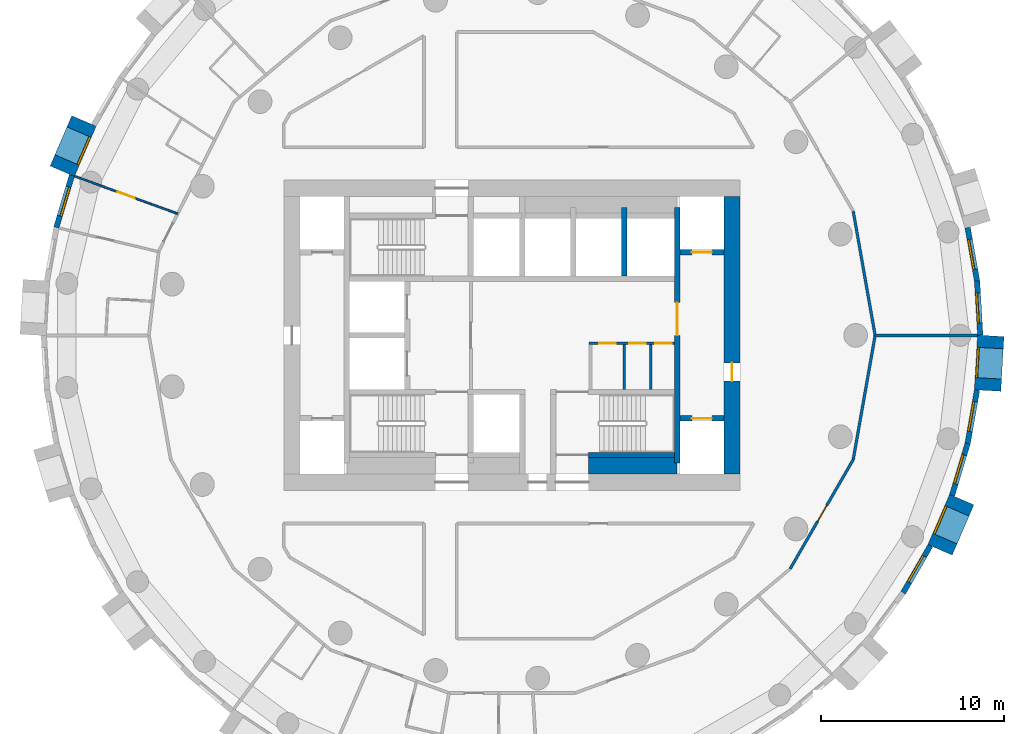
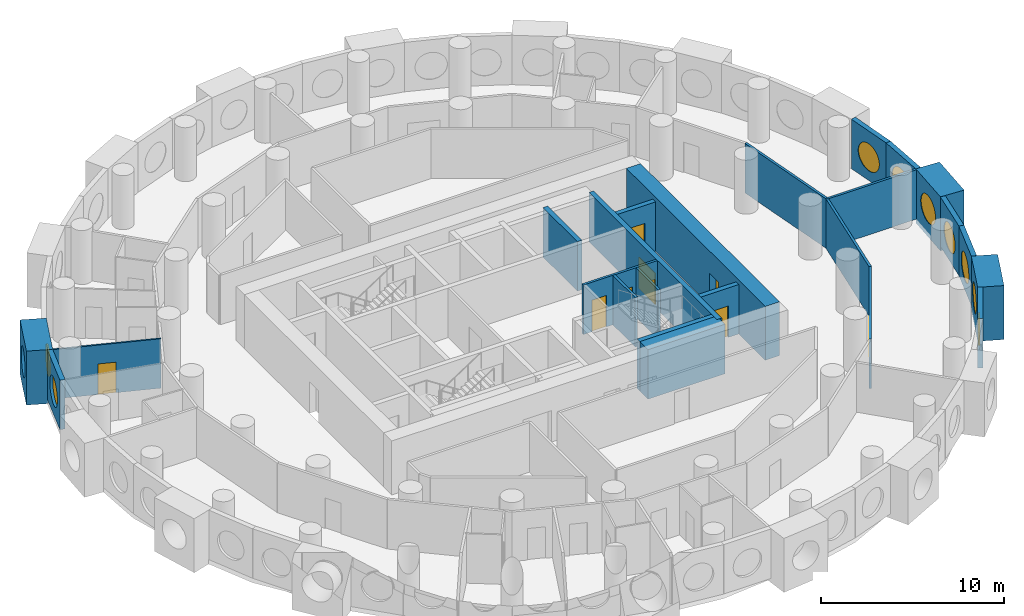
# One storey, part 5 of 9: 24 walls, 9 doors, 9 windows, 18 openings.
"""IFC4 building model written with IfcOpenShell, lengths in metres."""

import ifcopenshell
import ifcopenshell.guid

model = None  # the IFC model being written
_history = None  # IfcOwnerHistory: only IFC2X3 demands one
_inside = {}  # id of a spatial element -> (the spatial element, [elements in it])
_under = {}  # id of a project, library or spatial element -> (it, [spatial elements below it])
_declared = {}  # id of a project -> (the project, [libraries it declares])
_typed = {}  # id of a type object -> (the type object, [elements of that type])
_made_of = {}  # id of a material, layer set ... -> (it, [elements and type objects made of it])


def new_model(schema):
    """Start an empty IFC model of exactly this schema.

    Asked for "IFC4X3", IfcOpenShell would pick the latest addendum, in which some entities
    have other attributes; the version numbers below select the first issue.
    IFC2X3 requires an IfcOwnerHistory on every rooted entity: one is made here for all.
    """
    global model, _history
    if schema == "IFC4X3":
        model = ifcopenshell.file(schema_version=(4, 3, 0, 0))
    else:
        model = ifcopenshell.file(schema=schema)
    _inside.clear()
    _under.clear()
    _declared.clear()
    _typed.clear()
    _made_of.clear()
    _history = None
    if model.schema == "IFC2X3":
        org = make("IfcOrganization", Name="unknown")
        user = make(
            "IfcPersonAndOrganization",
            ThePerson=make("IfcPerson", FamilyName="unknown"),
            TheOrganization=org,
        )
        app = make(
            "IfcApplication",
            ApplicationDeveloper=org,
            Version="unknown",
            ApplicationFullName="unknown",
            ApplicationIdentifier="unknown",
        )
        _history = make(
            "IfcOwnerHistory",
            OwningUser=user,
            OwningApplication=app,
            ChangeAction="ADDED",
            CreationDate=0,
        )
    return model


def make(cls, **values):
    """One entity of the class cls with the attributes given. An attribute that is None is left unset."""
    return model.create_entity(
        cls, **{name: value for name, value in values.items() if value is not None}
    )


def rooted(cls, **values):
    """An entity with a GlobalId (a new one), such as an element, a storey or a relation."""
    return make(cls, GlobalId=ifcopenshell.guid.new(), OwnerHistory=_history, **values)


def si_unit(unit_type, name, prefix=None):
    """IfcSIUnit, for example si_unit("LENGTHUNIT", "METRE", prefix="MILLI")."""
    return make("IfcSIUnit", UnitType=unit_type, Prefix=prefix, Name=name)


def assignment(units):
    """IfcUnitAssignment: the units of a project."""
    return None if units is None else make("IfcUnitAssignment", Units=units)


def point(xyz):
    """IfcCartesianPoint."""
    return None if xyz is None else make("IfcCartesianPoint", Coordinates=xyz)


def direction(xyz):
    """IfcDirection."""
    return None if xyz is None else make("IfcDirection", DirectionRatios=xyz)


def frame(location, z_axis=None, x_axis=None):
    """IfcAxis2Placement3D, a coordinate frame: its origin and axes. An axis left out is left unset."""
    return make(
        "IfcAxis2Placement3D",
        Location=point(location),
        Axis=direction(z_axis),
        RefDirection=direction(x_axis),
    )


def frame_2d(location, x_axis=None):
    """IfcAxis2Placement2D, a coordinate frame in the plane: its origin and x axis."""
    return make(
        "IfcAxis2Placement2D", Location=point(location), RefDirection=direction(x_axis)
    )


def origin():
    """The frame at (0, 0, 0) with its axes left unset."""
    return frame((0.0, 0.0, 0.0))


def origin_2d():
    """The frame at (0, 0) in the plane with its x axis left unset."""
    return frame_2d((0.0, 0.0))


def place(relative_to, where):
    """IfcLocalPlacement: puts the frame where relative to a parent placement (None: the world)."""
    return make(
        "IfcLocalPlacement", PlacementRelTo=relative_to, RelativePlacement=where
    )


def context(
    kind, dimensions, precision=None, world=None, true_north=None, identifier=None
):
    """IfcGeometricRepresentationContext, for example the 3D "Model" context."""
    return make(
        "IfcGeometricRepresentationContext",
        ContextIdentifier=identifier,
        ContextType=kind,
        CoordinateSpaceDimension=dimensions,
        Precision=precision,
        WorldCoordinateSystem=world,
        TrueNorth=true_north,
    )


def subcontext(parent, identifier, kind, view, scale=None):
    """IfcGeometricRepresentationSubContext, for example "Body" below "Model"."""
    return make(
        "IfcGeometricRepresentationSubContext",
        ContextIdentifier=identifier,
        ContextType=kind,
        ParentContext=parent,
        TargetScale=scale,
        TargetView=view,
    )


def project(units=None, contexts=None):
    """IfcProject with its units and contexts."""
    return rooted(
        "IfcProject",
        Name="project",
        RepresentationContexts=contexts,
        UnitsInContext=assignment(units),
    )


def spatial(cls, under=None, at=None, **own):
    """A site, building, storey or space (cls), placed at a placement, below another one or the project."""
    s = rooted(cls, ObjectPlacement=at, **own)
    if under is not None:
        _under.setdefault(under.id(), (under, []))[1].append(s)
    return s


def profile(cls, at=None, kind="AREA", **sizes):
    """A parametric profile (cls). Its sizes go by their IFC names, for example OverallWidth=200.0."""
    return make(cls, ProfileType=kind, Position=at, **sizes)


def rectangle(**sizes):
    """IfcRectangleProfileDef."""
    return profile("IfcRectangleProfileDef", **sizes)


def circle(**sizes):
    """IfcCircleProfileDef."""
    return profile("IfcCircleProfileDef", **sizes)


def extrude(swept, where, along, depth):
    """IfcExtrudedAreaSolid: the profile swept, set in the frame where, extruded along a direction by depth."""
    return make(
        "IfcExtrudedAreaSolid",
        SweptArea=swept,
        Position=where,
        ExtrudedDirection=direction(along),
        Depth=depth,
    )


def shape(context_of_items, identifier, shape_type, items):
    """IfcShapeRepresentation: the items that make up one representation, for example the "Body"."""
    return make(
        "IfcShapeRepresentation",
        ContextOfItems=context_of_items,
        RepresentationIdentifier=identifier,
        RepresentationType=shape_type,
        Items=items,
    )


def material(Name=None, Category=None):
    """IfcMaterial."""
    return make("IfcMaterial", Name=Name, Category=Category)


def layer(
    of_material, thickness, ventilated=None, Name=None, Category=None, Priority=None
):
    """IfcMaterialLayer: one layer of a wall or slab, of a material (None: an air gap)."""
    return make(
        "IfcMaterialLayer",
        Material=of_material,
        LayerThickness=thickness,
        IsVentilated=ventilated,
        Name=Name,
        Category=Category,
        Priority=Priority,
    )


def layer_set(layers, Name=None):
    """IfcMaterialLayerSet."""
    return make("IfcMaterialLayerSet", MaterialLayers=layers, LayerSetName=Name)


def made_of(thing, what):
    """Note that an element or type object is made of a material, layer set ...; save() writes the relation."""
    if what is not None:
        _made_of.setdefault(what.id(), (what, []))[1].append(thing)
    return thing


def type_object(cls, material=None, **own):
    """A type object (cls), such as IfcWallType, which elements share."""
    return made_of(rooted(cls, **own), material)


def element(
    cls,
    number,
    at=None,
    inside=None,
    cuts=None,
    type_object=None,
    material=None,
    context=None,
    identifier="Body",
    shape_type=None,
    held_by="IfcProductDefinitionShape",
    body=None,
    shapes=None,
    **own,
):
    """One element of the class cls, such as IfcWall. Its Tag is "e" and its number.

    at: its placement. inside: the storey or other place that contains it. cuts: it is an
    opening in that element (IfcRelVoidsElement). A single representation is given by context,
    identifier, shape_type and body (its items); several are given by shapes. held_by: the class
    of the entity that holds the representations. save() writes the other relations.
    """
    e = rooted(cls, Tag="e%d" % number, ObjectPlacement=at, **own)
    if body is not None:
        shapes = [shape(context, identifier, shape_type, body)]
    if shapes is not None:
        e.Representation = make(held_by, Representations=shapes)
    if inside is not None:
        _inside.setdefault(inside.id(), (inside, []))[1].append(e)
    if cuts is not None:
        rooted(
            "IfcRelVoidsElement", RelatingBuildingElement=cuts, RelatedOpeningElement=e
        )
    if type_object is not None:
        _typed.setdefault(type_object.id(), (type_object, []))[1].append(e)
    return made_of(e, material)


def fill(opening, filler):
    """IfcRelFillsElement: the door or window that sits in an opening."""
    return rooted(
        "IfcRelFillsElement",
        RelatingOpeningElement=opening,
        RelatedBuildingElement=filler,
    )


def aggregate(whole, parts):
    """IfcRelAggregates: a whole, such as a stair, and the parts it consists of."""
    return rooted("IfcRelAggregates", RelatingObject=whole, RelatedObjects=parts)


def save(model, path):
    """Write the relations noted so far, then the file.

    IfcRelAggregates (storeys below a building ...), IfcRelContainedInSpatialStructure (elements
    in a storey), IfcRelDefinesByType, IfcRelAssociatesMaterial and IfcRelDeclares: one each for
    every whole, place, type object, material and project.
    """
    for whole, parts in _under.values():
        aggregate(whole, parts)
    for where, things in _inside.values():
        rooted(
            "IfcRelContainedInSpatialStructure",
            RelatedElements=things,
            RelatingStructure=where,
        )
    for kind, things in _typed.values():
        rooted("IfcRelDefinesByType", RelatedObjects=things, RelatingType=kind)
    for what, things in _made_of.values():
        rooted("IfcRelAssociatesMaterial", RelatedObjects=things, RelatingMaterial=what)
    for by, libraries in _declared.values():
        rooted("IfcRelDeclares", RelatingContext=by, RelatedDefinitions=libraries)
    model.write(path)


model = new_model("IFC4")

# Units and contexts
model_context = context("Model", 3, precision=1e-05, world=origin(), true_north=direction((0.0, 1.0)))
body_context = subcontext(model_context, "Body", "Model", "MODEL_VIEW")
ifc_project = project(units=[si_unit("LENGTHUNIT", "METRE"), si_unit("AREAUNIT", "SQUARE_METRE"), si_unit("VOLUMEUNIT", "CUBIC_METRE"), si_unit("PLANEANGLEUNIT", "RADIAN"), si_unit("MASSUNIT", "GRAM", prefix="KILO")], contexts=[model_context])

# Site, building, storey
site_placement = place(None, origin())
site = spatial("IfcSite", under=ifc_project, at=site_placement, CompositionType="ELEMENT")
building_placement = place(site_placement, origin())
building = spatial("IfcBuilding", under=site, at=building_placement, Name="Tracery Tower", CompositionType="ELEMENT")
storey_placement = place(building_placement, frame((0.0, 0.0, 180.0)))
storey = spatial("IfcBuildingStorey", under=building, at=storey_placement, Name="L46", CompositionType="ELEMENT", Elevation=180.0)

# Wall, openings, doors
ifc_material_1 = material(Name="Plasterboard on steel studs", Category="steel")
ifc_layer_1 = layer(ifc_material_1, 0.14990234375)
ifc_layer_set_1 = layer_set([ifc_layer_1], Name="Core room partition 150")
wall_type_1 = type_object("IfcWallType", Name="Core room partition 150", PredefinedType="SOLIDWALL", material=ifc_layer_set_1)
wall_1_placement = place(storey_placement, frame((4.22509765625, -0.425048828125, 0.0), z_axis=(0.0, 0.0, 1.0), x_axis=(1.0, 0.0, 0.0)))
wall_1 = element("IfcWall", 1, at=wall_1_placement, inside=storey, type_object=wall_type_1, Name="L46 slot N", PredefinedType="SOLIDWALL", context=body_context, shape_type="SweptSolid", body=[
    extrude(rectangle(XDim=4.6748046875, YDim=0.14990234375, at=frame_2d((2.33740234375, 0.0))), origin(), (0.0, 0.0, 1.0), 3.300048828125),
])
opening_1_placement = place(wall_1_placement, frame((0.550048828125, 0.0, 0.0)))
opening_1 = element("IfcOpeningElement", 2, at=opening_1_placement, cuts=wall_1, Name="Opening KD22", PredefinedType="OPENING", context=body_context, shape_type="SweptSolid", body=[
    extrude(rectangle(XDim=0.89990234375, YDim=2.10009765625, at=frame_2d((0.449951171875, 1.050048828125))), frame((0.0, 0.074951171875, 0.0), z_axis=(0.0, -1.0, 0.0), x_axis=(1.0, 0.0, 0.0)), (0.0, 0.0, 1.0), 0.14990234375),
])
opening_2_placement = place(wall_1_placement, frame((2.199951171875, 0.0, 0.0)))
opening_2 = element("IfcOpeningElement", 3, at=opening_2_placement, cuts=wall_1, Name="Opening KD26", PredefinedType="OPENING", context=body_context, shape_type="SweptSolid", body=[
    extrude(rectangle(XDim=0.89990234375, YDim=2.10009765625, at=frame_2d((0.449951171875, 1.050048828125))), frame((0.0, 0.074951171875, 0.0), z_axis=(0.0, -1.0, 0.0), x_axis=(1.0, 0.0, 0.0)), (0.0, 0.0, 1.0), 0.14990234375),
])
opening_3_placement = place(wall_1_placement, frame((3.612548828125, 0.0, 0.0)))
opening_3 = element("IfcOpeningElement", 4, at=opening_3_placement, cuts=wall_1, Name="Opening KD27", PredefinedType="OPENING", context=body_context, shape_type="SweptSolid", body=[
    extrude(rectangle(XDim=0.89990234375, YDim=2.10009765625, at=frame_2d((0.449951171875, 1.050048828125))), frame((0.0, 0.074951171875, 0.0), z_axis=(0.0, -1.0, 0.0), x_axis=(1.0, 0.0, 0.0)), (0.0, 0.0, 1.0), 0.14990234375),
])
ifc_material_2 = material(Name="Timber door leaf", Category="wood")
door_type_1 = type_object("IfcDoorType", Name="Core WC door 900", OperationType="NOTDEFINED", PredefinedType="DOOR", material=ifc_material_2)
door_1_placement = place(opening_1_placement, origin())
door_1 = element("IfcDoor", 5, at=door_1_placement, inside=storey, type_object=door_type_1, Name="Core door", OperationType="SINGLE_SWING_RIGHT", OverallHeight=2.10009765625, OverallWidth=0.89990234375, PredefinedType="DOOR", context=body_context, shape_type="SweptSolid", body=[
    extrude(rectangle(XDim=0.89990234375, YDim=2.10009765625, at=frame_2d((0.449951171875, 1.050048828125))), frame((0.0, 0.02490234375, 0.0), z_axis=(0.0, -1.0, 0.0), x_axis=(1.0, 0.0, 0.0)), (0.0, 0.0, 1.0), 0.050048828125),
])
fill(opening_1, door_1)
ifc_material_3 = material(Name="Timber door leaf", Category="wood")
door_type_2 = type_object("IfcDoorType", Name="Core store door 900", OperationType="NOTDEFINED", PredefinedType="DOOR", material=ifc_material_3)
door_2_placement = place(opening_2_placement, origin())
door_2 = element("IfcDoor", 6, at=door_2_placement, inside=storey, type_object=door_type_2, Name="Core door", OperationType="SINGLE_SWING_LEFT", OverallHeight=2.10009765625, OverallWidth=0.89990234375, PredefinedType="DOOR", context=body_context, shape_type="SweptSolid", body=[
    extrude(rectangle(XDim=0.89990234375, YDim=2.10009765625, at=frame_2d((0.449951171875, 1.050048828125))), frame((0.0, 0.02490234375, 0.0), z_axis=(0.0, -1.0, 0.0), x_axis=(1.0, 0.0, 0.0)), (0.0, 0.0, 1.0), 0.050048828125),
])
fill(opening_2, door_2)
door_3_placement = place(opening_3_placement, origin())
door_3 = element("IfcDoor", 7, at=door_3_placement, inside=storey, type_object=door_type_2, Name="Core door", OperationType="SINGLE_SWING_RIGHT", OverallHeight=2.10009765625, OverallWidth=0.89990234375, PredefinedType="DOOR", context=body_context, shape_type="SweptSolid", body=[
    extrude(rectangle(XDim=0.89990234375, YDim=2.10009765625, at=frame_2d((0.449951171875, 1.050048828125))), frame((0.0, 0.02490234375, 0.0), z_axis=(0.0, -1.0, 0.0), x_axis=(1.0, 0.0, 0.0)), (0.0, 0.0, 1.0), 0.050048828125),
])
fill(opening_3, door_3)

# Walls
for number, where, z_axis, x_axis, name in (
    (8, (6.14990234375, -2.949951171875, 0.0), (0.0, 0.0, 1.0), (0.0, 1.0, 0.0), "L46 slot sep 1"),
    (9, (7.60009765625, -2.949951171875, 0.0), (0.0, 0.0, 1.0), (0.0, 1.0, 0.0), "L46 slot sep 2"),
):
    element("IfcWall", number, at=place(storey_placement, frame(where, z_axis=z_axis, x_axis=x_axis)), inside=storey, type_object=wall_type_1, Name=name, PredefinedType="SOLIDWALL", context=body_context, shape_type="SweptSolid", body=[
        extrude(rectangle(XDim=2.449951171875, YDim=0.14990234375, at=frame_2d((1.22509765625, 0.0))), origin(), (0.0, 0.0, 1.0), 3.300048828125),
    ])
ifc_material_4 = material(Name="Concrete C50/60", Category="concrete")
ifc_layer_2 = layer(ifc_material_4, 0.89990234375)
ifc_layer_set_2 = layer_set([ifc_layer_2], Name="Core strip wall 900 C50")
wall_type_2 = type_object("IfcWallType", Name="Core strip wall 900 C50", PredefinedType="SOLIDWALL", material=ifc_layer_set_2)
wall_2_placement = place(storey_placement, frame((4.199951171875, -7.14990234375, 0.0), z_axis=(0.0, 0.0, 1.0), x_axis=(1.0, 0.0, 0.0)))
element("IfcWall", 10, at=wall_2_placement, inside=storey, type_object=wall_type_2, Name="L46 F thick S E", PredefinedType="SOLIDWALL", context=body_context, shape_type="SweptSolid", body=[
    extrude(rectangle(XDim=4.85009765625, YDim=0.89990234375, at=frame_2d((2.425048828125, 0.0))), origin(), (0.0, 0.0, 1.0), 3.300048828125),
])

# Wall, opening, door
ifc_material_5 = material(Name="Concrete C50/60", Category="concrete")
ifc_layer_3 = layer(ifc_material_5, 0.89990234375)
ifc_layer_set_3 = layer_set([ifc_layer_3], Name="Core wall 900 C50")
wall_type_3 = type_object("IfcWallType", Name="Core wall 900 C50", PredefinedType="SOLIDWALL", material=ifc_layer_set_3)
wall_3_placement = place(storey_placement, frame((12.050048828125, -7.60009765625, 0.0), z_axis=(0.0, 0.0, 1.0), x_axis=(0.0, 1.0, 0.0)))
wall_3 = element("IfcWall", 11, at=wall_3_placement, inside=storey, type_object=wall_type_3, Name="L46 outer E", PredefinedType="SOLIDWALL", context=body_context, shape_type="SweptSolid", body=[
    extrude(rectangle(XDim=15.2001953125, YDim=0.89990234375, at=frame_2d((7.60009765625, 0.0))), origin(), (0.0, 0.0, 1.0), 3.60009765625),
])
opening_4_placement = place(wall_3_placement, frame((5.10009765625, 0.0, 0.0)))
opening_4 = element("IfcOpeningElement", 12, at=opening_4_placement, cuts=wall_3, Name="Opening KD18", PredefinedType="OPENING", context=body_context, shape_type="SweptSolid", body=[
    extrude(rectangle(XDim=1.0, YDim=2.10009765625, at=frame_2d((0.5, 1.050048828125))), frame((0.0, 0.449951171875, 0.0), z_axis=(0.0, -1.0, 0.0), x_axis=(1.0, 0.0, 0.0)), (0.0, 0.0, 1.0), 0.89990234375),
])
ifc_material_6 = material(Name="Steel fire door", Category="steel")
door_type_3 = type_object("IfcDoorType", Name="Core exit door 1000", OperationType="NOTDEFINED", PredefinedType="DOOR", material=ifc_material_6)
door_4_placement = place(opening_4_placement, origin())
door_4 = element("IfcDoor", 13, at=door_4_placement, inside=storey, type_object=door_type_3, Name="Core exit door", OperationType="DOUBLE_DOOR_SINGLE_SWING", OverallHeight=2.10009765625, OverallWidth=1.0, PredefinedType="DOOR", context=body_context, shape_type="SweptSolid", body=[
    extrude(rectangle(XDim=1.0, YDim=2.10009765625, at=frame_2d((0.5, 1.050048828125))), frame((0.0, 0.02490234375, 0.0), z_axis=(0.0, -1.0, 0.0), x_axis=(1.0, 0.0, 0.0)), (0.0, 0.0, 1.0), 0.050048828125),
])
fill(opening_4, door_4)

# Wall, opening, window
ifc_material_7 = material(Name="Precast concrete C50/60", Category="concrete")
ifc_layer_4 = layer(ifc_material_7, 1.449951171875)
ifc_layer_set_4 = layer_set([ifc_layer_4], Name="Deep-set bay unit 3000 x 3600, slab edge 300")
wall_type_4 = type_object("IfcWallType", Name="Deep-set bay unit 3000 x 3600, slab edge 300", PredefinedType="ELEMENTEDWALL", material=ifc_layer_set_4)
wall_4_placement = place(storey_placement, frame((-23.44384765625, 11.746337890625, -0.300048828125), z_axis=(0.0, 0.0, 1.0), x_axis=(-0.396079003245, -0.918216435917, 0.0)))
wall_4 = element("IfcWall", 14, at=wall_4_placement, inside=storey, type_object=wall_type_4, Name="Deep-set bay unit 24 at L46", PredefinedType="ELEMENTEDWALL", context=body_context, shape_type="SweptSolid", body=[
    extrude(rectangle(XDim=3.0, YDim=1.449951171875, at=frame_2d((1.5, 0.0))), origin(), (0.0, 0.0, 1.0), 3.60009765625),
])
opening_5_placement = place(wall_4_placement, frame((1.5, 0.0, 1.85009765625)))
opening_5 = element("IfcOpeningElement", 15, at=opening_5_placement, cuts=wall_4, Name="Opening WN1", PredefinedType="OPENING", context=body_context, shape_type="SweptSolid", body=[
    extrude(circle(Radius=0.9000244140625, at=origin_2d()), frame((0.0, 0.73486328125, 0.0), z_axis=(0.0, -1.0, 0.0), x_axis=(1.0, 0.0, 0.0)), (0.0, 0.0, 1.0), 1.469970703125),
])
ifc_material_8 = material(Name="Aluminium frame with tinted double glazing", Category="aluminium")
window_type = type_object("IfcWindowType", Name="Round window 1800", PartitioningType="SINGLE_PANEL", PredefinedType="WINDOW", material=ifc_material_8)
window_1_placement = place(opening_5_placement, origin())
window_1 = element("IfcWindow", 16, at=window_1_placement, inside=storey, type_object=window_type, Name="Round window 24 at L46", OverallHeight=1.800048828125, OverallWidth=1.800048828125, PartitioningType="SINGLE_PANEL", PredefinedType="WINDOW", context=body_context, shape_type="SweptSolid", body=[
    extrude(circle(Radius=0.9000244140625, at=origin_2d()), frame((0.0, 0.69482421875, 0.0), z_axis=(0.0, -1.0, 0.0), x_axis=(1.0, 0.0, 0.0)), (0.0, 0.0, 1.0), 0.10009765625),
])
fill(opening_5, window_1)

wall_5_placement = place(storey_placement, frame((23.44384765625, -11.746337890625, -0.300048828125), z_axis=(0.0, 0.0, 1.0), x_axis=(0.396079003245, 0.918216435917, 0.0)))
wall_5 = element("IfcWall", 17, at=wall_5_placement, inside=storey, type_object=wall_type_4, Name="Deep-set bay unit 51 at L46", PredefinedType="ELEMENTEDWALL", context=body_context, shape_type="SweptSolid", body=[
    extrude(rectangle(XDim=3.0, YDim=1.449951171875, at=frame_2d((1.5, 0.0))), origin(), (0.0, 0.0, 1.0), 3.60009765625),
])
opening_6_placement = place(wall_5_placement, frame((1.5, 0.0, 1.85009765625)))
opening_6 = element("IfcOpeningElement", 18, at=opening_6_placement, cuts=wall_5, Name="Opening WN1", PredefinedType="OPENING", context=body_context, shape_type="SweptSolid", body=[
    extrude(circle(Radius=0.9000244140625, at=origin_2d()), frame((0.0, 0.73486328125, 0.0), z_axis=(0.0, -1.0, 0.0), x_axis=(1.0, 0.0, 0.0)), (0.0, 0.0, 1.0), 1.469970703125),
])
window_2_placement = place(opening_6_placement, origin())
window_2 = element("IfcWindow", 19, at=window_2_placement, inside=storey, type_object=window_type, Name="Round window 51 at L46", OverallHeight=1.800048828125, OverallWidth=1.800048828125, PartitioningType="SINGLE_PANEL", PredefinedType="WINDOW", context=body_context, shape_type="SweptSolid", body=[
    extrude(circle(Radius=0.9000244140625, at=origin_2d()), frame((0.0, 0.69482421875, 0.0), z_axis=(0.0, -1.0, 0.0), x_axis=(1.0, 0.0, 0.0)), (0.0, 0.0, 1.0), 0.10009765625),
])
fill(opening_6, window_2)

wall_6_placement = place(storey_placement, frame((26.047607421875, -3.01953125, -0.300048828125), z_axis=(0.0, 0.0, 1.0), x_axis=(0.058106596105, 0.998310384344, 0.0)))
wall_6 = element("IfcWall", 20, at=wall_6_placement, inside=storey, type_object=wall_type_4, Name="Deep-set bay unit 54 at L46", PredefinedType="ELEMENTEDWALL", context=body_context, shape_type="SweptSolid", body=[
    extrude(rectangle(XDim=3.0, YDim=1.449951171875, at=frame_2d((1.5, 0.0))), origin(), (0.0, 0.0, 1.0), 3.60009765625),
])
opening_7_placement = place(wall_6_placement, frame((1.5, 0.0, 1.85009765625)))
opening_7 = element("IfcOpeningElement", 21, at=opening_7_placement, cuts=wall_6, Name="Opening WN1", PredefinedType="OPENING", context=body_context, shape_type="SweptSolid", body=[
    extrude(circle(Radius=0.9000244140625, at=origin_2d()), frame((0.0, 0.73486328125, 0.0), z_axis=(0.0, -1.0, 0.0), x_axis=(1.0, 0.0, 0.0)), (0.0, 0.0, 1.0), 1.469970703125),
])
window_3_placement = place(opening_7_placement, origin())
window_3 = element("IfcWindow", 22, at=window_3_placement, inside=storey, type_object=window_type, Name="Round window 54 at L46", OverallHeight=1.800048828125, OverallWidth=1.800048828125, PartitioningType="SINGLE_PANEL", PredefinedType="WINDOW", context=body_context, shape_type="SweptSolid", body=[
    extrude(circle(Radius=0.9000244140625, at=origin_2d()), frame((0.0, 0.69482421875, 0.0), z_axis=(0.0, -1.0, 0.0), x_axis=(1.0, 0.0, 0.0)), (0.0, 0.0, 1.0), 0.10009765625),
])
fill(opening_7, window_3)

ifc_material_9 = material(Name="Precast concrete C50/60", Category="concrete")
ifc_layer_5 = layer(ifc_material_9, 0.300048828125)
ifc_layer_set_5 = layer_set([ifc_layer_5], Name="Facade panel 3000 x 3300")
wall_type_5 = type_object("IfcWallType", Name="Facade panel 3000 x 3300", PredefinedType="SOLIDWALL", material=ifc_layer_set_5)
wall_7_placement = place(storey_placement, frame((25.64697265625, 0.009521484375, 0.0), z_axis=(0.0, 0.0, 1.0), x_axis=(-0.058139540521, 0.998308466271, 0.0)))
wall_7 = element("IfcWall", 23, at=wall_7_placement, inside=storey, type_object=wall_type_5, Name="Facade panel 1 at L46", PredefinedType="SOLIDWALL", context=body_context, shape_type="SweptSolid", body=[
    extrude(rectangle(XDim=2.97314453125, YDim=0.300048828125, at=frame_2d((1.486572265625, 0.0))), origin(), (0.0, 0.0, 1.0), 3.300048828125),
])
opening_8_placement = place(wall_7_placement, frame((1.486328125, 0.0, 1.5498046875)))
opening_8 = element("IfcOpeningElement", 24, at=opening_8_placement, cuts=wall_7, Name="Opening WN1", PredefinedType="OPENING", context=body_context, shape_type="SweptSolid", body=[
    extrude(circle(Radius=0.9000244140625, at=origin_2d()), frame((0.0, 0.159912109375, 0.0), z_axis=(0.0, -1.0, 0.0), x_axis=(1.0, 0.0, 0.0)), (0.0, 0.0, 1.0), 0.320068359375),
])
window_4_placement = place(opening_8_placement, origin())
window_4 = element("IfcWindow", 25, at=window_4_placement, inside=storey, type_object=window_type, Name="Round window 1 at L46", OverallHeight=1.800048828125, OverallWidth=1.800048828125, PartitioningType="SINGLE_PANEL", PredefinedType="WINDOW", context=body_context, shape_type="SweptSolid", body=[
    extrude(circle(Radius=0.9000244140625, at=origin_2d()), frame((0.0, 0.1201171875, 0.0), z_axis=(0.0, -1.0, 0.0), x_axis=(1.0, 0.0, 0.0)), (0.0, 0.0, 1.0), 0.10009765625),
])
fill(opening_8, window_4)

wall_8_placement = place(storey_placement, frame((25.47412109375, 2.9775390625, 0.0), z_axis=(0.0, 0.0, 1.0), x_axis=(-0.173686952598, 0.984800915159, 0.0)))
wall_8 = element("IfcWall", 26, at=wall_8_placement, inside=storey, type_object=wall_type_5, Name="Facade panel 2 at L46", PredefinedType="SOLIDWALL", context=body_context, shape_type="SweptSolid", body=[
    extrude(rectangle(XDim=2.972900390625, YDim=0.300048828125, at=frame_2d((1.486328125, 0.0))), origin(), (0.0, 0.0, 1.0), 3.300048828125),
])
opening_9_placement = place(wall_8_placement, frame((1.486328125, 0.0, 1.5498046875)))
opening_9 = element("IfcOpeningElement", 27, at=opening_9_placement, cuts=wall_8, Name="Opening WN1", PredefinedType="OPENING", context=body_context, shape_type="SweptSolid", body=[
    extrude(circle(Radius=0.9000244140625, at=origin_2d()), frame((0.0, 0.159912109375, 0.0), z_axis=(0.0, -1.0, 0.0), x_axis=(1.0, 0.0, 0.0)), (0.0, 0.0, 1.0), 0.320068359375),
])
window_5_placement = place(opening_9_placement, origin())
window_5 = element("IfcWindow", 28, at=window_5_placement, inside=storey, type_object=window_type, Name="Round window 2 at L46", OverallHeight=1.800048828125, OverallWidth=1.800048828125, PartitioningType="SINGLE_PANEL", PredefinedType="WINDOW", context=body_context, shape_type="SweptSolid", body=[
    extrude(circle(Radius=0.9000244140625, at=origin_2d()), frame((0.0, 0.1201171875, 0.0), z_axis=(0.0, -1.0, 0.0), x_axis=(1.0, 0.0, 0.0)), (0.0, 0.0, 1.0), 0.10009765625),
])
fill(opening_9, window_5)

wall_9_placement = place(storey_placement, frame((-24.103515625, 8.7626953125, 0.0), z_axis=(0.0, 0.0, 1.0), x_axis=(-0.286782750849, -0.957995643944, 0.0)))
wall_9 = element("IfcWall", 29, at=wall_9_placement, inside=storey, type_object=wall_type_5, Name="Facade panel 25 at L46", PredefinedType="SOLIDWALL", context=body_context, shape_type="SweptSolid", body=[
    extrude(rectangle(XDim=2.97265625, YDim=0.300048828125, at=frame_2d((1.486328125, 0.0))), origin(), (0.0, 0.0, 1.0), 3.300048828125),
])
opening_10_placement = place(wall_9_placement, frame((1.486328125, 0.0, 1.5498046875)))
opening_10 = element("IfcOpeningElement", 30, at=opening_10_placement, cuts=wall_9, Name="Opening WN1", PredefinedType="OPENING", context=body_context, shape_type="SweptSolid", body=[
    extrude(circle(Radius=0.9000244140625, at=origin_2d()), frame((0.0, 0.159912109375, 0.0), z_axis=(0.0, -1.0, 0.0), x_axis=(1.0, 0.0, 0.0)), (0.0, 0.0, 1.0), 0.320068359375),
])
window_6_placement = place(opening_10_placement, origin())
window_6 = element("IfcWindow", 31, at=window_6_placement, inside=storey, type_object=window_type, Name="Round window 25 at L46", OverallHeight=1.800048828125, OverallWidth=1.800048828125, PartitioningType="SINGLE_PANEL", PredefinedType="WINDOW", context=body_context, shape_type="SweptSolid", body=[
    extrude(circle(Radius=0.9000244140625, at=origin_2d()), frame((0.0, 0.1201171875, 0.0), z_axis=(0.0, -1.0, 0.0), x_axis=(1.0, 0.0, 0.0)), (0.0, 0.0, 1.0), 0.10009765625),
])
fill(opening_10, window_6)

wall_10_placement = place(storey_placement, frame((21.42822265625, -14.093505859375, 0.0), z_axis=(0.0, 0.0, 1.0), x_axis=(0.499954672104, 0.866051572276, 0.0)))
wall_10 = element("IfcWall", 32, at=wall_10_placement, inside=storey, type_object=wall_type_5, Name="Facade panel 50 at L46", PredefinedType="SOLIDWALL", context=body_context, shape_type="SweptSolid", body=[
    extrude(rectangle(XDim=2.972900390625, YDim=0.300048828125, at=frame_2d((1.486328125, 0.0))), origin(), (0.0, 0.0, 1.0), 3.300048828125),
])
opening_11_placement = place(wall_10_placement, frame((1.486328125, 0.0, 1.5498046875)))
opening_11 = element("IfcOpeningElement", 33, at=opening_11_placement, cuts=wall_10, Name="Opening WN1", PredefinedType="OPENING", context=body_context, shape_type="SweptSolid", body=[
    extrude(circle(Radius=0.9000244140625, at=origin_2d()), frame((0.0, 0.159912109375, 0.0), z_axis=(0.0, -1.0, 0.0), x_axis=(1.0, 0.0, 0.0)), (0.0, 0.0, 1.0), 0.320068359375),
])
window_7_placement = place(opening_11_placement, origin())
window_7 = element("IfcWindow", 34, at=window_7_placement, inside=storey, type_object=window_type, Name="Round window 50 at L46", OverallHeight=1.800048828125, OverallWidth=1.800048828125, PartitioningType="SINGLE_PANEL", PredefinedType="WINDOW", context=body_context, shape_type="SweptSolid", body=[
    extrude(circle(Radius=0.9000244140625, at=origin_2d()), frame((0.0, 0.1201171875, 0.0), z_axis=(0.0, -1.0, 0.0), x_axis=(1.0, 0.0, 0.0)), (0.0, 0.0, 1.0), 0.10009765625),
])
fill(opening_11, window_7)

wall_11_placement = place(storey_placement, frame((24.103515625, -8.7626953125, 0.0), z_axis=(0.0, 0.0, 1.0), x_axis=(0.286782750849, 0.957995643944, 0.0)))
wall_11 = element("IfcWall", 35, at=wall_11_placement, inside=storey, type_object=wall_type_5, Name="Facade panel 52 at L46", PredefinedType="SOLIDWALL", context=body_context, shape_type="SweptSolid", body=[
    extrude(rectangle(XDim=2.97265625, YDim=0.300048828125, at=frame_2d((1.486328125, 0.0))), origin(), (0.0, 0.0, 1.0), 3.300048828125),
])
opening_12_placement = place(wall_11_placement, frame((1.486328125, 0.0, 1.5498046875)))
opening_12 = element("IfcOpeningElement", 36, at=opening_12_placement, cuts=wall_11, Name="Opening WN1", PredefinedType="OPENING", context=body_context, shape_type="SweptSolid", body=[
    extrude(circle(Radius=0.9000244140625, at=origin_2d()), frame((0.0, 0.159912109375, 0.0), z_axis=(0.0, -1.0, 0.0), x_axis=(1.0, 0.0, 0.0)), (0.0, 0.0, 1.0), 0.320068359375),
])
window_8_placement = place(opening_12_placement, origin())
window_8 = element("IfcWindow", 37, at=window_8_placement, inside=storey, type_object=window_type, Name="Round window 52 at L46", OverallHeight=1.800048828125, OverallWidth=1.800048828125, PartitioningType="SINGLE_PANEL", PredefinedType="WINDOW", context=body_context, shape_type="SweptSolid", body=[
    extrude(circle(Radius=0.9000244140625, at=origin_2d()), frame((0.0, 0.1201171875, 0.0), z_axis=(0.0, -1.0, 0.0), x_axis=(1.0, 0.0, 0.0)), (0.0, 0.0, 1.0), 0.10009765625),
])
fill(opening_12, window_8)

wall_12_placement = place(storey_placement, frame((24.9560546875, -5.914794921875, 0.0), z_axis=(0.0, 0.0, 1.0), x_axis=(0.173686952598, 0.984800915159, 0.0)))
wall_12 = element("IfcWall", 38, at=wall_12_placement, inside=storey, type_object=wall_type_5, Name="Facade panel 53 at L46", PredefinedType="SOLIDWALL", context=body_context, shape_type="SweptSolid", body=[
    extrude(rectangle(XDim=2.972900390625, YDim=0.300048828125, at=frame_2d((1.486328125, 0.0))), origin(), (0.0, 0.0, 1.0), 3.300048828125),
])
opening_13_placement = place(wall_12_placement, frame((1.486328125, 0.0, 1.5498046875)))
opening_13 = element("IfcOpeningElement", 39, at=opening_13_placement, cuts=wall_12, Name="Opening WN1", PredefinedType="OPENING", context=body_context, shape_type="SweptSolid", body=[
    extrude(circle(Radius=0.9000244140625, at=origin_2d()), frame((0.0, 0.159912109375, 0.0), z_axis=(0.0, -1.0, 0.0), x_axis=(1.0, 0.0, 0.0)), (0.0, 0.0, 1.0), 0.320068359375),
])
window_9_placement = place(opening_13_placement, origin())
window_9 = element("IfcWindow", 40, at=window_9_placement, inside=storey, type_object=window_type, Name="Round window 53 at L46", OverallHeight=1.800048828125, OverallWidth=1.800048828125, PartitioningType="SINGLE_PANEL", PredefinedType="WINDOW", context=body_context, shape_type="SweptSolid", body=[
    extrude(circle(Radius=0.9000244140625, at=origin_2d()), frame((0.0, 0.1201171875, 0.0), z_axis=(0.0, -1.0, 0.0), x_axis=(1.0, 0.0, 0.0)), (0.0, 0.0, 1.0), 0.10009765625),
])
fill(opening_13, window_9)

# Wall, opening, door
ifc_material_10 = material(Name="Plasterboard on steel studs", Category="steel")
ifc_layer_6 = layer(ifc_material_10, 0.10009765625)
ifc_layer_set_6 = layer_set([ifc_layer_6], Name="Partition 100 stud")
wall_type_6 = type_object("IfcWallType", Name="Partition 100 stud", PredefinedType="PARTITIONING", material=ifc_layer_set_6)
wall_13_placement = place(storey_placement, frame((-23.9599609375, 8.720947265625, 0.0), z_axis=(0.0, 0.0, 1.0), x_axis=(0.939704504136, -0.341987492326, 0.0)))
wall_13 = element("IfcWall", 41, at=wall_13_placement, inside=storey, type_object=wall_type_6, Name="Stud partition RB6-046", PredefinedType="PARTITIONING", context=body_context, shape_type="SweptSolid", body=[
    extrude(rectangle(XDim=6.014404296875, YDim=0.10009765625, at=frame_2d((3.00732421875, 0.0))), origin(), (0.0, 0.0, 1.0), 3.300048828125),
])
opening_14_placement = place(wall_13_placement, frame((2.5078125, 0.0, 0.0)))
opening_14 = element("IfcOpeningElement", 42, at=opening_14_placement, cuts=wall_13, Name="Opening RB6-11", PredefinedType="OPENING", context=body_context, shape_type="SweptSolid", body=[
    extrude(rectangle(XDim=1.0, YDim=2.0400390625, at=frame_2d((0.5, 1.02001953125))), frame((0.0, 0.050048828125, 0.0), z_axis=(0.0, -1.0, 0.0), x_axis=(1.0, 0.0, 0.0)), (0.0, 0.0, 1.0), 0.10009765625),
])
ifc_material_11 = material(Name="Timber door leaf", Category="wood")
door_type_4 = type_object("IfcDoorType", Name="Door communal room 1000", OperationType="NOTDEFINED", PredefinedType="DOOR", material=ifc_material_11)
door_5_placement = place(opening_14_placement, origin())
door_5 = element("IfcDoor", 43, at=door_5_placement, inside=storey, type_object=door_type_4, Name="Communal room door RB6-11", OperationType="SINGLE_SWING_LEFT", OverallHeight=2.0400390625, OverallWidth=1.0, PredefinedType="DOOR", context=body_context, shape_type="SweptSolid", body=[
    extrude(rectangle(XDim=1.0, YDim=2.0400390625, at=frame_2d((0.5, 1.02001953125))), frame((0.0, 0.02490234375, 0.0), z_axis=(0.0, -1.0, 0.0), x_axis=(1.0, 0.0, 0.0)), (0.0, 0.0, 1.0), 0.050048828125),
])
fill(opening_14, door_5)

# Walls
ifc_material_12 = material(Name="Plasterboard on steel studs", Category="steel")
ifc_layer_7 = layer(ifc_material_12, 0.14990234375)
ifc_layer_set_7 = layer_set([ifc_layer_7], Name="Partition 150 acoustic unit wall")
wall_type_7 = type_object("IfcWallType", Name="Partition 150 acoustic unit wall", PredefinedType="PARTITIONING", material=ifc_layer_set_7)
wall_14_placement = place(storey_placement, frame((19.887939453125, 0.0, 0.0), z_axis=(0.0, 0.0, 1.0), x_axis=(1.0, 0.0, 0.0)))
element("IfcWall", 44, at=wall_14_placement, inside=storey, type_object=wall_type_7, Name="Unit wall RB6-040", PredefinedType="PARTITIONING", context=body_context, shape_type="SweptSolid", body=[
    extrude(rectangle(XDim=5.609130859375, YDim=0.14990234375, at=frame_2d((2.8046875, 0.0))), origin(), (0.0, 0.0, 1.0), 3.300048828125),
])
ifc_material_13 = material(Name="Plasterboard on steel studs", Category="steel")
ifc_layer_8 = layer(ifc_material_13, 0.14990234375)
ifc_layer_set_8 = layer_set([ifc_layer_8], Name="Partition 150 corridor wall")
wall_type_8 = type_object("IfcWallType", Name="Partition 150 corridor wall", PredefinedType="PARTITIONING", material=ifc_layer_set_8)
for number, where, z_axis, x_axis, name in (
    (45, (18.68798828125, 6.802001953125, 0.0), (0.0, 0.0, 1.0), (0.173728873845, -0.98479352069, 0.0), "Corridor wall RB6-008"),
    (46, (18.68798828125, -6.802001953125, 0.0), (0.0, 0.0, 1.0), (0.173728873845, 0.98479352069, 0.0), "Corridor wall RB6-010"),
):
    element("IfcWall", number, at=place(storey_placement, frame(where, z_axis=z_axis, x_axis=x_axis)), inside=storey, type_object=wall_type_8, Name=name, PredefinedType="PARTITIONING", context=body_context, shape_type="SweptSolid", body=[
        extrude(rectangle(XDim=6.906982421875, YDim=0.14990234375, at=frame_2d((3.45361328125, 0.0))), origin(), (0.0, 0.0, 1.0), 3.300048828125),
    ])

# Wall, opening, door
wall_15_placement = place(storey_placement, frame((15.235107421875, -12.783935546875, 0.0), z_axis=(0.0, 0.0, 1.0), x_axis=(0.499914202267, 0.866074933462, 0.0)))
wall_15 = element("IfcWall", 47, at=wall_15_placement, inside=storey, type_object=wall_type_8, Name="Corridor wall RB6-011", PredefinedType="PARTITIONING", context=body_context, shape_type="SweptSolid", body=[
    extrude(rectangle(XDim=6.906982421875, YDim=0.14990234375, at=frame_2d((3.45361328125, 0.0))), origin(), (0.0, 0.0, 1.0), 3.300048828125),
])
opening_15_placement = place(wall_15_placement, frame((3.003173828125, 0.0, 0.0)))
opening_15 = element("IfcOpeningElement", 48, at=opening_15_placement, cuts=wall_15, Name="Opening RB6-25", PredefinedType="OPENING", context=body_context, shape_type="SweptSolid", body=[
    extrude(rectangle(XDim=1.0, YDim=2.0400390625, at=frame_2d((0.5, 1.02001953125))), frame((0.0, 0.074951171875, 0.0), z_axis=(0.0, -1.0, 0.0), x_axis=(1.0, 0.0, 0.0)), (0.0, 0.0, 1.0), 0.14990234375),
])
door_6_placement = place(opening_15_placement, origin())
door_6 = element("IfcDoor", 49, at=door_6_placement, inside=storey, type_object=door_type_4, Name="Communal room door RB6-25", OperationType="SINGLE_SWING_LEFT", OverallHeight=2.0400390625, OverallWidth=1.0, PredefinedType="DOOR", context=body_context, shape_type="SweptSolid", body=[
    extrude(rectangle(XDim=1.0, YDim=2.0400390625, at=frame_2d((0.5, 1.02001953125))), frame((0.0, 0.02490234375, 0.0), z_axis=(0.0, -1.0, 0.0), x_axis=(1.0, 0.0, 0.0)), (0.0, 0.0, 1.0), 0.050048828125),
])
fill(opening_15, door_6)

# Wall
ifc_material_14 = material(Name="Concrete C50/60", Category="concrete")
ifc_layer_9 = layer(ifc_material_14, 0.300048828125)
ifc_layer_set_9 = layer_set([ifc_layer_9], Name="Shaft wall 300 C50")
wall_type_9 = type_object("IfcWallType", Name="Shaft wall 300 C50", PredefinedType="SOLIDWALL", material=ifc_layer_set_9)
wall_16_placement = place(storey_placement, frame((6.14990234375, 3.25, 0.0), z_axis=(0.0, 0.0, 1.0), x_axis=(0.0, 1.0, 0.0)))
element("IfcWall", 50, at=wall_16_placement, inside=storey, type_object=wall_type_9, Name="L46 HR sep 3", PredefinedType="SOLIDWALL", context=body_context, shape_type="SweptSolid", body=[
    extrude(rectangle(XDim=3.75, YDim=0.300048828125, at=frame_2d((1.875, 0.0))), origin(), (0.0, 0.0, 1.0), 3.300048828125),
])

# Wall, opening, door
wall_17_placement = place(storey_placement, frame((9.199951171875, -4.550048828125, 0.0), z_axis=(0.0, 0.0, 1.0), x_axis=(1.0, 0.0, 0.0)))
wall_17 = element("IfcWall", 51, at=wall_17_placement, inside=storey, type_object=wall_type_9, Name="L46 MR E -4.55", PredefinedType="SOLIDWALL", context=body_context, shape_type="SweptSolid", body=[
    extrude(rectangle(XDim=2.400146484375, YDim=0.300048828125, at=frame_2d((1.2001953125, 0.0))), origin(), (0.0, 0.0, 1.0), 3.300048828125),
])
opening_16_placement = place(wall_17_placement, frame((0.64990234375, 0.0, 0.0)))
opening_16 = element("IfcOpeningElement", 52, at=opening_16_placement, cuts=wall_17, Name="Opening KD50", PredefinedType="OPENING", context=body_context, shape_type="SweptSolid", body=[
    extrude(rectangle(XDim=1.10009765625, YDim=2.10009765625, at=frame_2d((0.550048828125, 1.050048828125))), frame((0.0, 0.14990234375, 0.0), z_axis=(0.0, -1.0, 0.0), x_axis=(1.0, 0.0, 0.0)), (0.0, 0.0, 1.0), 0.300048828125),
])
ifc_material_15 = material(Name="Steel fire door", Category="steel")
door_type_5 = type_object("IfcDoorType", Name="Landing door 1100", OperationType="NOTDEFINED", PredefinedType="DOOR", material=ifc_material_15)
door_7_placement = place(opening_16_placement, origin())
door_7 = element("IfcDoor", 53, at=door_7_placement, inside=storey, type_object=door_type_5, Name="Landing door MR3", OperationType="SLIDING_TO_RIGHT", OverallHeight=2.10009765625, OverallWidth=1.10009765625, PredefinedType="DOOR", context=body_context, shape_type="SweptSolid", body=[
    extrude(rectangle(XDim=1.10009765625, YDim=2.10009765625, at=frame_2d((0.550048828125, 1.050048828125))), frame((0.0, 0.02490234375, 0.0), z_axis=(0.0, -1.0, 0.0), x_axis=(1.0, 0.0, 0.0)), (0.0, 0.0, 1.0), 0.050048828125),
])
fill(opening_16, door_7)

wall_18_placement = place(storey_placement, frame((9.199951171875, 4.550048828125, 0.0), z_axis=(0.0, 0.0, 1.0), x_axis=(1.0, 0.0, 0.0)))
wall_18 = element("IfcWall", 54, at=wall_18_placement, inside=storey, type_object=wall_type_9, Name="L46 MR E +4.55", PredefinedType="SOLIDWALL", context=body_context, shape_type="SweptSolid", body=[
    extrude(rectangle(XDim=2.400146484375, YDim=0.300048828125, at=frame_2d((1.2001953125, 0.0))), origin(), (0.0, 0.0, 1.0), 3.300048828125),
])
opening_17_placement = place(wall_18_placement, frame((0.64990234375, 0.0, 0.0)))
opening_17 = element("IfcOpeningElement", 55, at=opening_17_placement, cuts=wall_18, Name="Opening KD49", PredefinedType="OPENING", context=body_context, shape_type="SweptSolid", body=[
    extrude(rectangle(XDim=1.10009765625, YDim=2.10009765625, at=frame_2d((0.550048828125, 1.050048828125))), frame((0.0, 0.14990234375, 0.0), z_axis=(0.0, -1.0, 0.0), x_axis=(1.0, 0.0, 0.0)), (0.0, 0.0, 1.0), 0.300048828125),
])
door_8_placement = place(opening_17_placement, origin())
door_8 = element("IfcDoor", 56, at=door_8_placement, inside=storey, type_object=door_type_5, Name="Landing door MR4", OperationType="SLIDING_TO_LEFT", OverallHeight=2.10009765625, OverallWidth=1.10009765625, PredefinedType="DOOR", context=body_context, shape_type="SweptSolid", body=[
    extrude(rectangle(XDim=1.10009765625, YDim=2.10009765625, at=frame_2d((0.550048828125, 1.050048828125))), frame((0.0, 0.02490234375, 0.0), z_axis=(0.0, -1.0, 0.0), x_axis=(1.0, 0.0, 0.0)), (0.0, 0.0, 1.0), 0.050048828125),
])
fill(opening_17, door_8)

ifc_material_16 = material(Name="Concrete C50/60", Category="concrete")
ifc_layer_10 = layer(ifc_material_16, 0.300048828125)
ifc_layer_set_10 = layer_set([ifc_layer_10], Name="Stair wall 300 C50")
wall_type_10 = type_object("IfcWallType", Name="Stair wall 300 C50", PredefinedType="SOLIDWALL", material=ifc_layer_set_10)
wall_19_placement = place(storey_placement, frame((9.050048828125, -7.0, 0.0), z_axis=(0.0, 0.0, 1.0), x_axis=(0.0, 1.0, 0.0)))
wall_19 = element("IfcWall", 57, at=wall_19_placement, inside=storey, type_object=wall_type_10, Name="L46 F wall +9", PredefinedType="SOLIDWALL", context=body_context, shape_type="SweptSolid", body=[
    extrude(rectangle(XDim=14.0, YDim=0.300048828125, at=frame_2d((7.0, 0.0))), origin(), (0.0, 0.0, 1.0), 3.300048828125),
])
opening_18_placement = place(wall_19_placement, frame((7.0, 0.0, 0.0)))
opening_18 = element("IfcOpeningElement", 58, at=opening_18_placement, cuts=wall_19, Name="Opening KD13", PredefinedType="OPENING", context=body_context, shape_type="SweptSolid", body=[
    extrude(rectangle(XDim=1.800048828125, YDim=2.10009765625, at=frame_2d((0.89990234375, 1.050048828125))), frame((0.0, 0.14990234375, 0.0), z_axis=(0.0, -1.0, 0.0), x_axis=(1.0, 0.0, 0.0)), (0.0, 0.0, 1.0), 0.300048828125),
])
ifc_material_17 = material(Name="Steel fire door", Category="steel")
door_type_6 = type_object("IfcDoorType", Name="Core exit door 1800 double", OperationType="NOTDEFINED", PredefinedType="DOOR", material=ifc_material_17)
door_9_placement = place(opening_18_placement, origin())
door_9 = element("IfcDoor", 59, at=door_9_placement, inside=storey, type_object=door_type_6, Name="Core exit door", OperationType="DOUBLE_DOOR_SINGLE_SWING", OverallHeight=2.10009765625, OverallWidth=1.800048828125, PredefinedType="DOOR", context=body_context, shape_type="SweptSolid", body=[
    extrude(rectangle(XDim=1.800048828125, YDim=2.10009765625, at=frame_2d((0.89990234375, 1.050048828125))), frame((0.0, 0.02490234375, 0.0), z_axis=(0.0, -1.0, 0.0), x_axis=(1.0, 0.0, 0.0)), (0.0, 0.0, 1.0), 0.050048828125),
])
fill(opening_18, door_9)

# Wall
wall_20_placement = place(storey_placement, frame((4.199951171875, -6.550048828125, 0.0), z_axis=(0.0, 0.0, 1.0), x_axis=(1.0, 0.0, 0.0)))
element("IfcWall", 60, at=wall_20_placement, inside=storey, type_object=wall_type_10, Name="L46 F stair strip S E", PredefinedType="SOLIDWALL", context=body_context, shape_type="SweptSolid", body=[
    extrude(rectangle(XDim=4.699951171875, YDim=0.300048828125, at=frame_2d((2.35009765625, 0.0))), origin(), (0.0, 0.0, 1.0), 3.300048828125),
])

save(model, "model.ifc")
